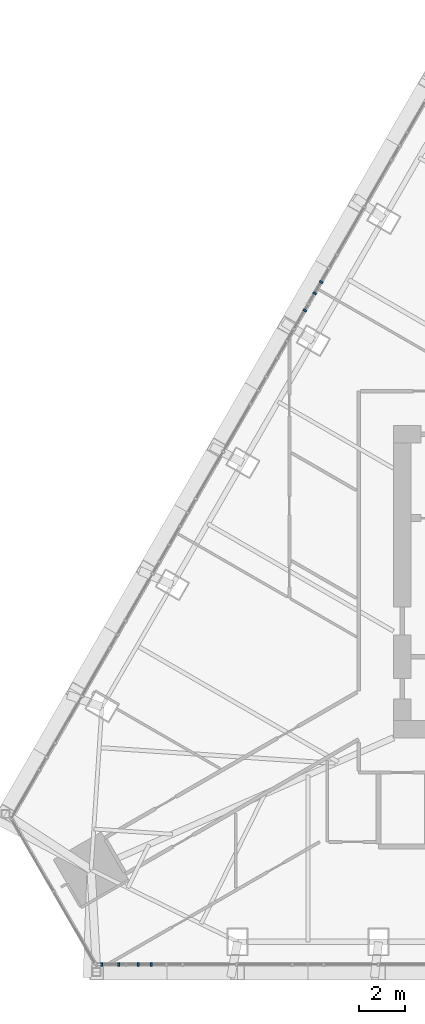
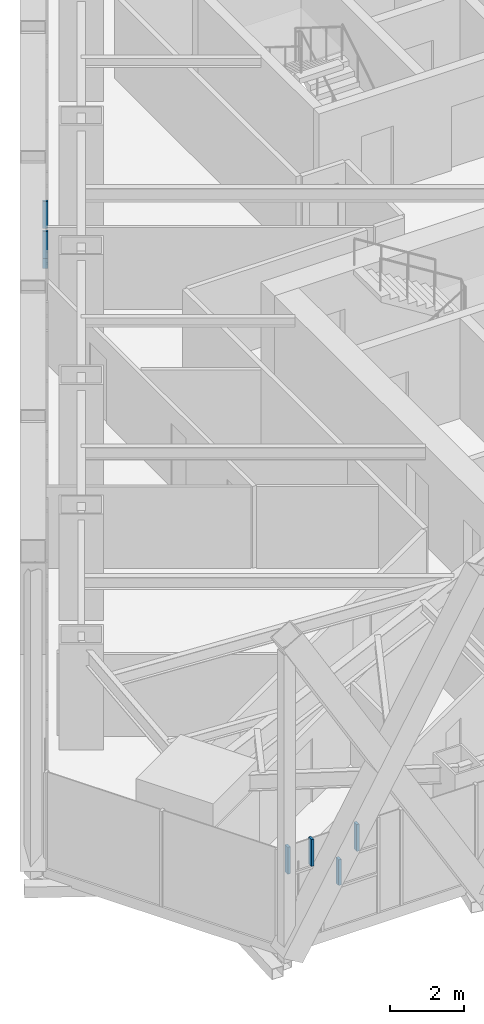
# One storey, part 10 of 23: 7 members, 2 elements without a shape of their own.
"""IFC4 building model written with IfcOpenShell, lengths in metres."""

from ifc_helpers import new_model, si_unit, direction, frame, origin, origin_2d, place, context, subcontext, project, spatial, rectangle, extrude, material, layer, layer_set, material_profile, profile_set, type_object, element, aggregate, save


model = new_model("IFC4")

# Units and contexts
model_context = context("Model", 3, precision=1e-05, world=origin(), true_north=direction((0.0, 1.0)))
body_context = subcontext(model_context, "Body", "Model", "MODEL_VIEW")
ifc_project = project(units=[si_unit("LENGTHUNIT", "METRE"), si_unit("AREAUNIT", "SQUARE_METRE"), si_unit("VOLUMEUNIT", "CUBIC_METRE"), si_unit("PLANEANGLEUNIT", "RADIAN"), si_unit("MASSUNIT", "GRAM", prefix="KILO")], contexts=[model_context])

# Site, building, storey
site_placement = place(None, origin())
site = spatial("IfcSite", under=ifc_project, at=site_placement, CompositionType="ELEMENT")
building_placement = place(site_placement, origin())
building = spatial("IfcBuilding", under=site, at=building_placement, Name="Firuza Gate Tower and Library", CompositionType="ELEMENT")
storey_placement = place(building_placement, frame((0.0, 0.0, 302.10009765625)))
storey = spatial("IfcBuildingStorey", under=building, at=storey_placement, Name="L73", CompositionType="ELEMENT", Elevation=302.10009765625)

# Curtain wall, members
ifc_material_1 = material(Name="Aluminium 6063-T6", Category="aluminium")
ifc_layer = layer(ifc_material_1, 0.14990234375)
ifc_layer_set = layer_set([ifc_layer], Name="Unitised curtain wall, residences")
curtain_wall_type = type_object("IfcCurtainWallType", Name="Unitised curtain wall, residences", PredefinedType="NOTDEFINED", material=ifc_layer_set)
placement = place(storey_placement, origin())
curtain_wall_1 = element("IfcCurtainWall", 1, at=placement, inside=storey, type_object=curtain_wall_type, Name="CW3 L73 S face", PredefinedType="NOTDEFINED")
ifc_material_2 = material(Name="Aluminium 6063-T6", Category="aluminium")
ifc_material_profile = material_profile(ifc_material_2, rectangle(XDim=0.14990234375, YDim=0.080078125, at=origin_2d()))
ifc_profile_set = profile_set([ifc_material_profile], Name="Aluminium 6063-T6")
member_type = type_object("IfcMemberType", Name="Curtain wall mullion 80x150", PredefinedType="MULLION", material=ifc_profile_set)
member_1_placement = place(storey_placement, frame((55.46923828125, 58.44970703125, 1.489990234375), z_axis=(0.0, 0.0, 1.0), x_axis=(0.0, 1.0, 0.0)))
member_1 = element("IfcMember", 2, at=member_1_placement, type_object=member_type, Name="Mullion", PredefinedType="MULLION", context=body_context, shape_type="SweptSolid", body=[
    extrude(rectangle(XDim=0.14990234375, YDim=0.080078125, at=origin_2d()), origin(), (0.0, 0.0, 1.0), 0.844970703125),
])
member_2_placement = place(storey_placement, frame((53.88671875, 58.44970703125, 2.414794921875), z_axis=(0.0, 0.0, 1.0), x_axis=(0.0, 1.0, 0.0)))
member_2 = element("IfcMember", 3, at=member_2_placement, type_object=member_type, Name="Mullion", PredefinedType="MULLION", context=body_context, shape_type="SweptSolid", body=[
    extrude(rectangle(XDim=0.14990234375, YDim=0.080078125, at=origin_2d()), origin(), (0.0, 0.0, 1.0), 0.885009765625),
])
member_3_placement = place(storey_placement, frame((54.616455078125, 58.44970703125, 2.414794921875), z_axis=(0.0, 0.0, 1.0), x_axis=(0.0, 1.0, 0.0)))
member_3 = element("IfcMember", 4, at=member_3_placement, type_object=member_type, Name="Mullion", PredefinedType="MULLION", context=body_context, shape_type="SweptSolid", body=[
    extrude(rectangle(XDim=0.14990234375, YDim=0.080078125, at=origin_2d()), origin(), (0.0, 0.0, 1.0), 0.885009765625),
])
member_4_placement = place(storey_placement, frame((56.029541015625, 58.44970703125, 2.414794921875), z_axis=(0.0, 0.0, 1.0), x_axis=(0.0, 1.0, 0.0)))
member_4 = element("IfcMember", 5, at=member_4_placement, type_object=member_type, Name="Mullion", PredefinedType="MULLION", context=body_context, shape_type="SweptSolid", body=[
    extrude(rectangle(XDim=0.14990234375, YDim=0.080078125, at=origin_2d()), origin(), (0.0, 0.0, 1.0), 0.885009765625),
])
aggregate(curtain_wall_1, [member_1, member_2, member_3, member_4])

curtain_wall_2 = element("IfcCurtainWall", 6, at=placement, inside=storey, type_object=curtain_wall_type, Name="CW3 L73 W face", PredefinedType="NOTDEFINED")
member_5_placement = place(storey_placement, frame((63.09375, 87.478271484375, 1.489990234375), z_axis=(0.0, 0.0, 1.0), x_axis=(0.866025403784, -0.5, 0.0)))
member_5 = element("IfcMember", 7, at=member_5_placement, type_object=member_type, Name="Mullion", PredefinedType="MULLION", context=body_context, shape_type="SweptSolid", body=[
    extrude(rectangle(XDim=0.14990234375, YDim=0.080078125, at=origin_2d()), origin(), (0.0, 0.0, 1.0), 0.844970703125),
])
member_6_placement = place(storey_placement, frame((63.373779296875, 87.96337890625, 2.414794921875), z_axis=(0.0, 0.0, 1.0), x_axis=(0.866025403784, -0.5, 0.0)))
member_6 = element("IfcMember", 8, at=member_6_placement, type_object=member_type, Name="Mullion", PredefinedType="MULLION", context=body_context, shape_type="SweptSolid", body=[
    extrude(rectangle(XDim=0.14990234375, YDim=0.080078125, at=origin_2d()), origin(), (0.0, 0.0, 1.0), 0.885009765625),
])
member_7_placement = place(storey_placement, frame((62.667236328125, 86.739501953125, 2.414794921875), z_axis=(0.0, 0.0, 1.0), x_axis=(0.866025403784, -0.5, 0.0)))
member_7 = element("IfcMember", 9, at=member_7_placement, type_object=member_type, Name="Mullion", PredefinedType="MULLION", context=body_context, shape_type="SweptSolid", body=[
    extrude(rectangle(XDim=0.14990234375, YDim=0.080078125, at=origin_2d()), origin(), (0.0, 0.0, 1.0), 0.885009765625),
])
aggregate(curtain_wall_2, [member_5, member_6, member_7])

save(model, "model.ifc")
